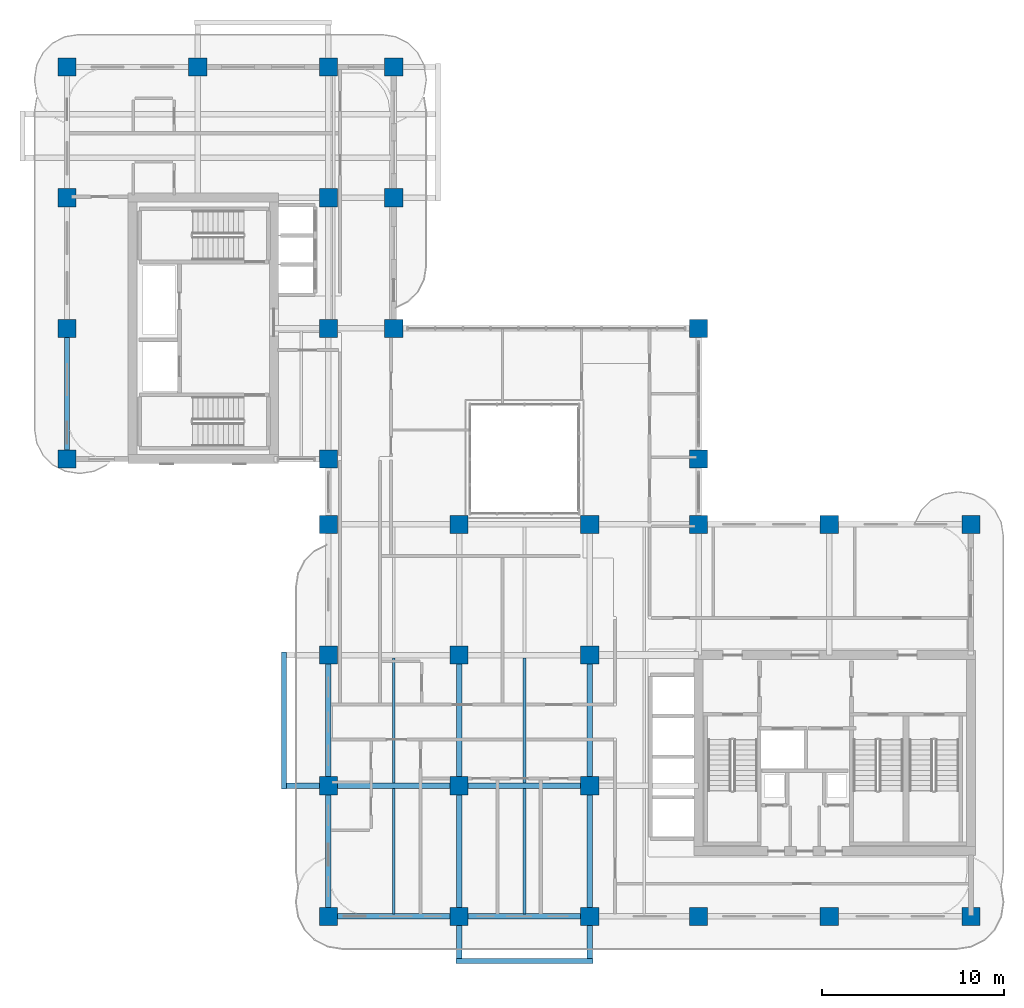
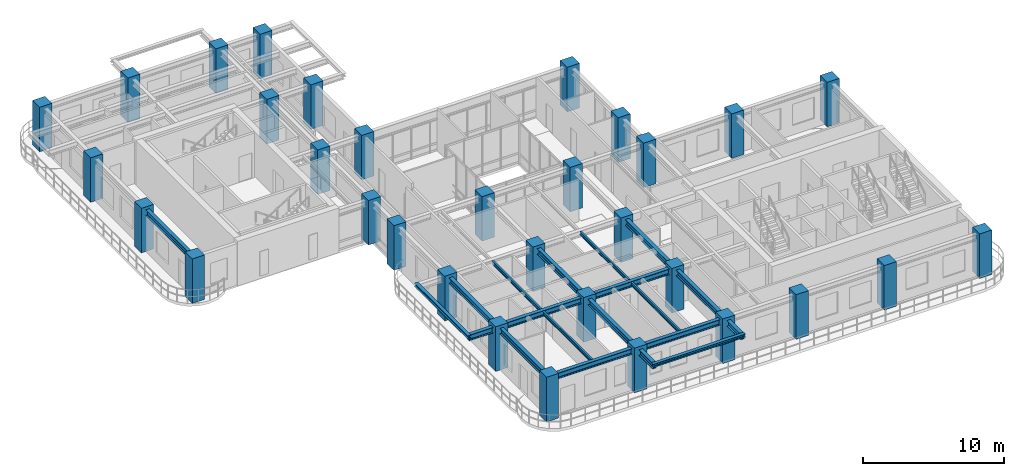
# One storey, part 1 of 20: 32 columns, 17 beams.
"""IFC4 building model written with IfcOpenShell, lengths in metres."""

from ifc_helpers import new_model, si_unit, derived_unit, direction, frame, origin, origin_2d, place, context, subcontext, project, spatial, rectangle, i_section, extrude, source, transform, mapped, material, material_profile, profile_set, type_object, type_shapes, element, save


model = new_model("IFC4")

# Units and contexts
model_context = context("Model", 3, precision=1e-05, world=origin(), true_north=direction((0.0, 1.0)))
body_context = subcontext(model_context, "Body", "Model", "MODEL_VIEW")
ifc_project = project(units=[si_unit("LENGTHUNIT", "METRE"), si_unit("AREAUNIT", "SQUARE_METRE"), si_unit("VOLUMEUNIT", "CUBIC_METRE"), si_unit("PLANEANGLEUNIT", "RADIAN"), si_unit("MASSUNIT", "GRAM", prefix="KILO"), si_unit("THERMODYNAMICTEMPERATUREUNIT", "KELVIN"), si_unit("POWERUNIT", "WATT"), derived_unit("THERMALTRANSMITTANCEUNIT", [(si_unit("POWERUNIT", "WATT"), 1), (si_unit("AREAUNIT", "SQUARE_METRE"), -1), (si_unit("THERMODYNAMICTEMPERATUREUNIT", "KELVIN"), -1)])], contexts=[model_context])

# Site, building, storey
site_placement = place(None, origin())
site = spatial("IfcSite", under=ifc_project, at=site_placement, CompositionType="ELEMENT")
building_placement = place(site_placement, origin())
building = spatial("IfcBuilding", under=site, at=building_placement, Name="Zahravan Archway Hotel and Residences", CompositionType="ELEMENT")
storey_placement = place(building_placement, frame((0.0, 0.0, 173.39990234375)))
storey = spatial("IfcBuildingStorey", under=building, at=storey_placement, Name="L43", CompositionType="ELEMENT", Elevation=173.39990234375)

# Columns
ifc_material_1 = material(Name="Concrete C60/75", Category="concrete")
ifc_material_profile_1 = material_profile(ifc_material_1, rectangle(XDim=1.0, YDim=1.0, at=origin_2d()), Name="RC-COL-1000x1000", Category="concrete")
ifc_profile_set_1 = profile_set([ifc_material_profile_1], Name="Concrete C60/75")
column_type = type_object("IfcColumnType", Name="COL-RC-1000", PredefinedType="COLUMN", material=ifc_profile_set_1)
shared_shape_1 = source(origin(), body_context, "Body", "SweptSolid", [
    extrude(rectangle(XDim=1.0, YDim=1.0, at=origin_2d()), origin(), (0.0, 0.0, 1.0), 3.85009765625),
])
for number, where, z_axis, x_axis, name in (
    (1, (0.0, 25.199951171875, 0.0), (0.0, 0.0, 1.0), (1.0, 0.0, 0.0), "L43 Column 1-E"),
    (2, (0.0, 32.39990234375, 0.0), (0.0, 0.0, 1.0), (1.0, 0.0, 0.0), "L43 Column 1-F"),
    (3, (0.0, 39.60009765625, 0.0), (0.0, 0.0, 1.0), (1.0, 0.0, 0.0), "L43 Column 1-G"),
    (4, (0.0, 46.800048828125, 0.0), (0.0, 0.0, 1.0), (1.0, 0.0, 0.0), "L43 Column 1-H"),
    (5, (7.199951171875, 46.800048828125, 0.0), (0.0, 0.0, 1.0), (1.0, 0.0, 0.0), "L43 Column 2-H"),
    (6, (14.39990234375, 0.0, 0.0), (0.0, 0.0, 1.0), (1.0, 0.0, 0.0), "L43 Column 3-A"),
    (7, (14.39990234375, 7.199951171875, 0.0), (0.0, 0.0, 1.0), (1.0, 0.0, 0.0), "L43 Column 3-B"),
    (8, (14.39990234375, 14.39990234375, 0.0), (0.0, 0.0, 1.0), (1.0, 0.0, 0.0), "L43 Column 3-C"),
    (9, (14.39990234375, 21.60009765625, 0.0), (0.0, 0.0, 1.0), (1.0, 0.0, 0.0), "L43 Column 3-D"),
    (10, (14.39990234375, 25.199951171875, 0.0), (0.0, 0.0, 1.0), (1.0, 0.0, 0.0), "L43 Column 3-E"),
    (11, (14.39990234375, 32.39990234375, 0.0), (0.0, 0.0, 1.0), (1.0, 0.0, 0.0), "L43 Column 3-F"),
    (12, (14.39990234375, 39.60009765625, 0.0), (0.0, 0.0, 1.0), (1.0, 0.0, 0.0), "L43 Column 3-G"),
    (13, (14.39990234375, 46.800048828125, 0.0), (0.0, 0.0, 1.0), (1.0, 0.0, 0.0), "L43 Column 3-H"),
    (14, (21.60009765625, 0.0, 0.0), (0.0, 0.0, 1.0), (1.0, 0.0, 0.0), "L43 Column 4-A"),
    (15, (21.60009765625, 7.199951171875, 0.0), (0.0, 0.0, 1.0), (1.0, 0.0, 0.0), "L43 Column 4-B"),
    (16, (21.60009765625, 14.39990234375, 0.0), (0.0, 0.0, 1.0), (1.0, 0.0, 0.0), "L43 Column 4-C"),
    (17, (21.60009765625, 21.60009765625, 0.0), (0.0, 0.0, 1.0), (1.0, 0.0, 0.0), "L43 Column 4-D"),
    (18, (28.800048828125, 0.0, 0.0), (0.0, 0.0, 1.0), (1.0, 0.0, 0.0), "L43 Column 5-A"),
    (19, (28.800048828125, 7.199951171875, 0.0), (0.0, 0.0, 1.0), (1.0, 0.0, 0.0), "L43 Column 5-B"),
    (20, (28.800048828125, 14.39990234375, 0.0), (0.0, 0.0, 1.0), (1.0, 0.0, 0.0), "L43 Column 5-C"),
    (21, (28.800048828125, 21.60009765625, 0.0), (0.0, 0.0, 1.0), (1.0, 0.0, 0.0), "L43 Column 5-D"),
    (22, (34.800048828125, 0.0, 0.0), (0.0, 0.0, 1.0), (1.0, 0.0, 0.0), "L43 Column 6-A"),
    (23, (34.800048828125, 21.60009765625, 0.0), (0.0, 0.0, 1.0), (1.0, 0.0, 0.0), "L43 Column 6-D"),
    (24, (34.800048828125, 25.199951171875, 0.0), (0.0, 0.0, 1.0), (1.0, 0.0, 0.0), "L43 Column 6-E"),
    (25, (34.800048828125, 32.39990234375, 0.0), (0.0, 0.0, 1.0), (1.0, 0.0, 0.0), "L43 Column 6-F"),
    (26, (42.0, 0.0, 0.0), (0.0, 0.0, 1.0), (1.0, 0.0, 0.0), "L43 Column 7-A"),
    (27, (42.0, 21.60009765625, 0.0), (0.0, 0.0, 1.0), (1.0, 0.0, 0.0), "L43 Column 7-D"),
    (28, (49.800048828125, 0.0, 0.0), (0.0, 0.0, 1.0), (1.0, 0.0, 0.0), "L43 Column 8-A"),
    (29, (49.800048828125, 21.60009765625, 0.0), (0.0, 0.0, 1.0), (1.0, 0.0, 0.0), "L43 Column 8-D"),
    (30, (18.0, 32.39990234375, 0.0), (0.0, 0.0, 1.0), (1.0, 0.0, 0.0), "L43 Column 3B-F"),
    (31, (18.0, 39.60009765625, 0.0), (0.0, 0.0, 1.0), (1.0, 0.0, 0.0), "L43 Column 3B-G"),
    (32, (18.0, 46.800048828125, 0.0), (0.0, 0.0, 1.0), (1.0, 0.0, 0.0), "L43 Column 3B-H"),
):
    element("IfcColumn", number, at=place(storey_placement, frame(where, z_axis=z_axis, x_axis=x_axis)), inside=storey, type_object=column_type, Name=name, PredefinedType="COLUMN", context=body_context, shape_type="MappedRepresentation", body=[
        mapped(shared_shape_1, transform((0.0, 0.0, 0.0), scale=1.0)),
    ])

# Beams
ifc_material_2 = material(Name="Structural Steel S355JR", Category="steel")
ifc_material_profile_2 = material_profile(ifc_material_2, i_section(OverallWidth=0.280029296875, OverallDepth=0.280029296875, WebThickness=0.010498046875, FlangeThickness=0.01806640625, FilletRadius=0.02392578125, at=origin_2d()), Name="HEB 280", Category="steel")
ifc_profile_set_2 = profile_set([ifc_material_profile_2], Name="Structural Steel S355JR")
beam_type_1 = type_object("IfcBeamType", Name="BM-SPN-HEB280", PredefinedType="SPANDREL", material=ifc_profile_set_2)
shared_shape_2 = source(origin(), body_context, "Body", "SweptSolid", [
    extrude(i_section(OverallWidth=0.280029296875, OverallDepth=0.280029296875, WebThickness=0.010498046875, FlangeThickness=0.01806640625, FilletRadius=0.02392578125, at=origin_2d()), origin(), (0.0, 0.0, 1.0), 7.56005859375),
])
type_shapes(beam_type_1, [shared_shape_2])
for number, where, z_axis, x_axis, name in (
    (33, (11.949951171875, 7.02001953125, 3.460205078125), (0.0, 1.0, 0.0), (-1.0, 0.0, 0.0), "L44 WA Balcony Edge Spandrel"),
    (34, (21.419921875, -2.449951171875, 3.460205078125), (1.0, 0.0, 0.0), (0.0, 1.0, 0.0), "L44 SA Balcony Edge Spandrel"),
):
    element("IfcBeam", number, at=place(storey_placement, frame(where, z_axis=z_axis, x_axis=x_axis)), inside=storey, type_object=beam_type_1, Name=name, PredefinedType="SPANDREL", context=body_context, shape_type="MappedRepresentation", body=[
        mapped(shared_shape_2, transform((0.0, 0.0, 0.0), scale=1.0)),
    ])
ifc_material_profile_3 = material_profile(ifc_material_2, i_section(OverallWidth=0.300048828125, OverallDepth=0.5, WebThickness=0.014404296875, FlangeThickness=0.028076171875, FilletRadius=0.027099609375, at=origin_2d()), Name="HEB 500", Category="steel")
ifc_profile_set_3 = profile_set([ifc_material_profile_3], Name="Structural Steel S355JR")
beam_type_2 = type_object("IfcBeamType", Name="BM-PRI-HEB500", PredefinedType="BEAM", material=ifc_profile_set_3)
shared_shape_3 = source(origin(), body_context, "Body", "SweptSolid", [
    extrude(i_section(OverallWidth=0.300048828125, OverallDepth=0.5, WebThickness=0.014404296875, FlangeThickness=0.028076171875, FilletRadius=0.027099609375, at=origin_2d()), origin(), (0.0, 0.0, 1.0), 7.2001953125),
])
type_shapes(beam_type_2, [shared_shape_3])
beam_1_placement = place(storey_placement, frame((14.39990234375, 0.0, 3.35009765625), z_axis=(1.0, 0.0, 0.0), x_axis=(0.0, 1.0, 0.0)))
element("IfcBeam", 35, at=beam_1_placement, inside=storey, type_object=beam_type_2, Name="L43 Primary Girder EW-01", PredefinedType="BEAM", context=body_context, shape_type="MappedRepresentation", body=[
    mapped(shared_shape_3, transform((0.0, 0.0, 0.0), scale=1.0)),
])
shared_shape_4 = source(origin(), body_context, "Body", "SweptSolid", [
    extrude(i_section(OverallWidth=0.300048828125, OverallDepth=0.5, WebThickness=0.014404296875, FlangeThickness=0.028076171875, FilletRadius=0.027099609375, at=origin_2d()), origin(), (0.0, 0.0, 1.0), 7.199951171875),
])
for number, where, z_axis, x_axis, name in (
    (36, (21.60009765625, 0.0, 3.35009765625), (1.0, 0.0, 0.0), (0.0, 1.0, 0.0), "L43 Primary Girder EW-02"),
    (37, (21.60009765625, 7.199951171875, 3.35009765625), (1.0, 0.0, 0.0), (0.0, 1.0, 0.0), "L43 Primary Girder EW-07"),
    (38, (0.0, 25.199951171875, 3.35009765625), (0.0, 1.0, 0.0), (-1.0, 0.0, 0.0), "L43 Primary Girder NS-24"),
    (39, (14.39990234375, 0.0, 3.35009765625), (0.0, 1.0, 0.0), (-1.0, 0.0, 0.0), "L43 Primary Girder NS-28"),
    (40, (14.39990234375, 7.199951171875, 3.35009765625), (0.0, 1.0, 0.0), (-1.0, 0.0, 0.0), "L43 Primary Girder NS-29"),
    (41, (21.60009765625, 7.199951171875, 3.35009765625), (0.0, 1.0, 0.0), (-1.0, 0.0, 0.0), "L43 Primary Girder NS-36"),
    (42, (28.800048828125, 7.199951171875, 3.35009765625), (0.0, 1.0, 0.0), (-1.0, 0.0, 0.0), "L43 Primary Girder NS-39"),
):
    element("IfcBeam", number, at=place(storey_placement, frame(where, z_axis=z_axis, x_axis=x_axis)), inside=storey, type_object=beam_type_2, Name=name, PredefinedType="BEAM", context=body_context, shape_type="MappedRepresentation", body=[
        mapped(shared_shape_4, transform((0.0, 0.0, 0.0), scale=1.0)),
    ])
shared_shape_5 = source(origin(), body_context, "Body", "SweptSolid", [
    extrude(i_section(OverallWidth=0.300048828125, OverallDepth=0.5, WebThickness=0.014404296875, FlangeThickness=0.028076171875, FilletRadius=0.027099609375, at=origin_2d()), origin(), (0.0, 0.0, 1.0), 9.650146484375),
])
beam_2_placement = place(storey_placement, frame((11.949951171875, 7.199951171875, 3.35009765625), z_axis=(1.0, 0.0, 0.0), x_axis=(0.0, 1.0, 0.0)))
element("IfcBeam", 43, at=beam_2_placement, inside=storey, type_object=beam_type_2, Name="L43 Primary Girder EW-06", PredefinedType="BEAM", context=body_context, shape_type="MappedRepresentation", body=[
    mapped(shared_shape_5, transform((0.0, 0.0, 0.0), scale=1.0)),
])
shared_shape_6 = source(origin(), body_context, "Body", "SweptSolid", [
    extrude(i_section(OverallWidth=0.300048828125, OverallDepth=0.5, WebThickness=0.014404296875, FlangeThickness=0.028076171875, FilletRadius=0.027099609375, at=origin_2d()), origin(), (0.0, 0.0, 1.0), 9.64990234375),
])
for number, where, z_axis, x_axis, name in (
    (44, (21.60009765625, -2.449951171875, 3.35009765625), (0.0, 1.0, 0.0), (-1.0, 0.0, 0.0), "L43 Primary Girder NS-35"),
    (45, (28.800048828125, -2.449951171875, 3.35009765625), (0.0, 1.0, 0.0), (-1.0, 0.0, 0.0), "L43 Primary Girder NS-38"),
):
    element("IfcBeam", number, at=place(storey_placement, frame(where, z_axis=z_axis, x_axis=x_axis)), inside=storey, type_object=beam_type_2, Name=name, PredefinedType="BEAM", context=body_context, shape_type="MappedRepresentation", body=[
        mapped(shared_shape_6, transform((0.0, 0.0, 0.0), scale=1.0)),
    ])
ifc_material_profile_4 = material_profile(ifc_material_2, i_section(OverallWidth=0.14990234375, OverallDepth=0.300048828125, WebThickness=0.007080078125, FlangeThickness=0.0107421875, FilletRadius=0.014892578125, at=origin_2d()), Name="IPE 300", Category="steel")
ifc_profile_set_4 = profile_set([ifc_material_profile_4], Name="Structural Steel S355JR")
beam_type_3 = type_object("IfcBeamType", Name="BM-JST-IPE300", PredefinedType="JOIST", material=ifc_profile_set_4)
shared_shape_7 = source(origin(), body_context, "Body", "SweptSolid", [
    extrude(i_section(OverallWidth=0.14990234375, OverallDepth=0.300048828125, WebThickness=0.007080078125, FlangeThickness=0.0107421875, FilletRadius=0.014892578125, at=origin_2d()), origin(), (0.0, 0.0, 1.0), 6.904052734375),
])
type_shapes(beam_type_3, [shared_shape_7])
for number, where, z_axis, x_axis, name in (
    (46, (18.0, 0.14794921875, 3.4501953125), (0.0, 1.0, 0.0), (-1.0, 0.0, 0.0), "L43 Composite Floor Joist 01"),
    (47, (25.199951171875, 0.14794921875, 3.4501953125), (0.0, 1.0, 0.0), (-1.0, 0.0, 0.0), "L43 Composite Floor Joist 02"),
    (48, (18.0, 7.347900390625, 3.4501953125), (0.0, 1.0, 0.0), (-1.0, 0.0, 0.0), "L43 Composite Floor Joist 04"),
    (49, (25.199951171875, 7.347900390625, 3.4501953125), (0.0, 1.0, 0.0), (-1.0, 0.0, 0.0), "L43 Composite Floor Joist 05"),
):
    element("IfcBeam", number, at=place(storey_placement, frame(where, z_axis=z_axis, x_axis=x_axis)), inside=storey, type_object=beam_type_3, Name=name, PredefinedType="JOIST", context=body_context, shape_type="MappedRepresentation", body=[
        mapped(shared_shape_7, transform((0.0, 0.0, 0.0), scale=1.0)),
    ])

save(model, "model.ifc")
